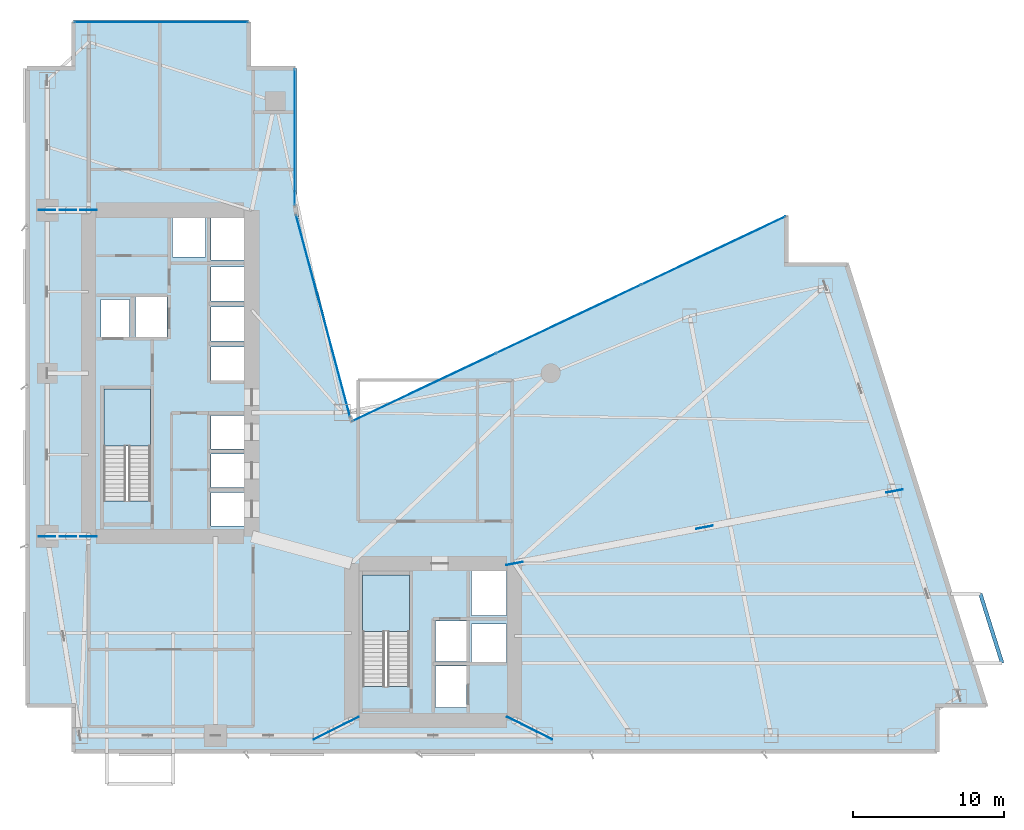
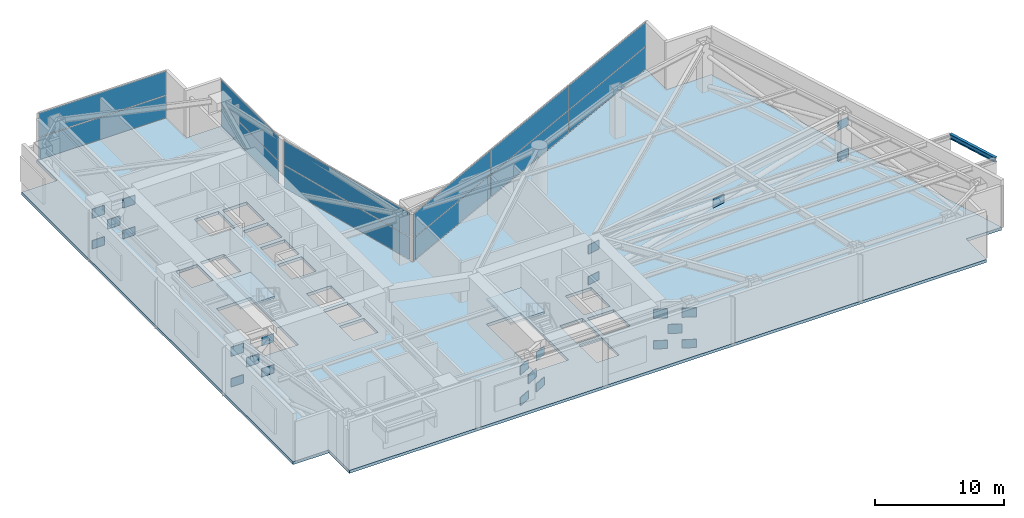
# One storey, part 9 of 18: 37 plates, 3 slabs, 1 beam, 6 elements without a shape of their own.
"""IFC4 building model written with IfcOpenShell, lengths in metres."""

from ifc_helpers import new_model, si_unit, direction, frame, origin, origin_2d, place, context, subcontext, project, spatial, polyline, rectangle, i_section, outline, extrude, material, layer, layer_set, material_profile, profile_set, type_object, element, aggregate, save


model = new_model("IFC4")

# Units and contexts
model_context = context("Model", 3, precision=1e-05, world=origin(), true_north=direction((0.0, 1.0)))
body_context = subcontext(model_context, "Body", "Model", "MODEL_VIEW")
ifc_project = project(units=[si_unit("LENGTHUNIT", "METRE"), si_unit("AREAUNIT", "SQUARE_METRE"), si_unit("VOLUMEUNIT", "CUBIC_METRE"), si_unit("PLANEANGLEUNIT", "RADIAN"), si_unit("MASSUNIT", "GRAM", prefix="KILO")], contexts=[model_context])

# Site, building, storey
site_placement = place(None, origin())
site = spatial("IfcSite", under=ifc_project, at=site_placement, CompositionType="ELEMENT")
building_placement = place(site_placement, origin())
building = spatial("IfcBuilding", under=site, at=building_placement, Name="Calvorn Quay Hotel", CompositionType="ELEMENT")
storey_placement = place(building_placement, frame((0.0, 0.0, 46.0)))
storey = spatial("IfcBuildingStorey", under=building, at=storey_placement, Name="L10", CompositionType="ELEMENT", Elevation=46.0)

# Beam
ifc_material_1 = material(Name="Steel Q355B", Category="steel")
ifc_material_profile = material_profile(ifc_material_1, i_section(OverallWidth=0.25, OverallDepth=0.449951171875, WebThickness=0.011962890625, FlangeThickness=0.01611328125, FilletRadius=0.01611328125, at=origin_2d()), Name="HN450x250x12x16")
ifc_profile_set = profile_set([ifc_material_profile], Name="Steel Q355B")
beam_type = type_object("IfcBeamType", Name="BM-CANT-BALC", PredefinedType="BEAM", material=ifc_profile_set)
beam_placement = place(storey_placement, frame((64.7080078125, 8.39990234375, 4.31494140625), z_axis=(-0.300620172346, 0.953743944662, 0.0), x_axis=(-0.953743944662, -0.300620172346, 0.0)))
element("IfcBeam", 1, at=beam_placement, inside=storey, type_object=beam_type, Name="Beam BCBO-L11-1", PredefinedType="BEAM", context=body_context, shape_type="SweptSolid", body=[
    extrude(i_section(OverallWidth=0.25, OverallDepth=0.449951171875, WebThickness=0.011962890625, FlangeThickness=0.01611328125, FilletRadius=0.01611328125, at=origin_2d()), origin(), (0.0, 0.0, 1.0), 4.8232421875),
])

# Curtain wall, plates
ifc_material_2 = material(Name="Pale Anodised Aluminium and Low-E Glass", Category="aluminium")
ifc_layer_1 = layer(ifc_material_2, 0.219970703125)
ifc_layer_set_1 = layer_set([ifc_layer_1], Name="CW-SYS-Z1")
curtain_wall_type = type_object("IfcCurtainWallType", Name="CW-SYS-Z1", PredefinedType="NOTDEFINED", material=ifc_layer_set_1)
curtain_wall_1_placement = place(storey_placement, origin())
curtain_wall_1 = element("IfcCurtainWall", 2, at=curtain_wall_1_placement, inside=storey, type_object=curtain_wall_type, Name="Inner Court Curtain Wall L10-NE1", PredefinedType="NOTDEFINED")
ifc_material_3 = material(Name="Low-E Laminated Double Glazing", Category="glass")
ifc_layer_2 = layer(ifc_material_3, 0.028076171875)
ifc_layer_set_2 = layer_set([ifc_layer_2], Name="CW-SYS-Z1-PAN")
plate_type_1 = type_object("IfcPlateType", Name="CW-SYS-Z1-PAN", PredefinedType="CURTAIN_PANEL", material=ifc_layer_set_2)
plate_1_placement = place(storey_placement, frame((45.58642578125, 35.726806640625, 0.06005859375), z_axis=(0.0, 0.0, 1.0), x_axis=(-0.904248646743, -0.427006305415, 0.0)))
plate_1 = element("IfcPlate", 3, at=plate_1_placement, type_object=plate_type_1, Name="CW-L10-NE1 panel 1.1", PredefinedType="CURTAIN_PANEL", context=body_context, shape_type="SweptSolid", body=[
    extrude(rectangle(XDim=10.526611328125, YDim=0.028076171875, at=origin_2d()), origin(), (0.0, 0.0, 1.0), 2.110107421875),
])
plate_2_placement = place(storey_placement, frame((45.58642578125, 35.726806640625, 2.22998046875), z_axis=(0.0, 0.0, 1.0), x_axis=(-0.904248646743, -0.427006305415, 0.0)))
plate_2 = element("IfcPlate", 4, at=plate_2_placement, type_object=plate_type_1, Name="CW-L10-NE1 panel 1.2", PredefinedType="CURTAIN_PANEL", context=body_context, shape_type="SweptSolid", body=[
    extrude(rectangle(XDim=10.526611328125, YDim=0.028076171875, at=origin_2d()), origin(), (0.0, 0.0, 1.0), 2.27001953125),
])
plate_3_placement = place(storey_placement, frame((36.0, 31.199951171875, 0.06005859375), z_axis=(0.0, 0.0, 1.0), x_axis=(-0.904248646743, -0.427006305415, 0.0)))
plate_3 = element("IfcPlate", 5, at=plate_3_placement, type_object=plate_type_1, Name="CW-L10-NE1 panel 2.1", PredefinedType="CURTAIN_PANEL", context=body_context, shape_type="SweptSolid", body=[
    extrude(rectangle(XDim=10.556640625, YDim=0.028076171875, at=origin_2d()), origin(), (0.0, 0.0, 1.0), 2.110107421875),
])
plate_4_placement = place(storey_placement, frame((36.0, 31.199951171875, 2.22998046875), z_axis=(0.0, 0.0, 1.0), x_axis=(-0.904248646743, -0.427006305415, 0.0)))
plate_4 = element("IfcPlate", 6, at=plate_4_placement, type_object=plate_type_1, Name="CW-L10-NE1 panel 2.2", PredefinedType="CURTAIN_PANEL", context=body_context, shape_type="SweptSolid", body=[
    extrude(rectangle(XDim=10.556640625, YDim=0.028076171875, at=origin_2d()), origin(), (0.0, 0.0, 1.0), 2.27001953125),
])
plate_5_placement = place(storey_placement, frame((26.41357421875, 26.673095703125, 0.06005859375), z_axis=(0.0, 0.0, 1.0), x_axis=(-0.904248646743, -0.427006305415, 0.0)))
plate_5 = element("IfcPlate", 7, at=plate_5_placement, type_object=plate_type_1, Name="CW-L10-NE1 panel 3.1", PredefinedType="CURTAIN_PANEL", context=body_context, shape_type="SweptSolid", body=[
    extrude(rectangle(XDim=10.526611328125, YDim=0.028076171875, at=origin_2d()), origin(), (0.0, 0.0, 1.0), 2.110107421875),
])
plate_6_placement = place(storey_placement, frame((26.41357421875, 26.673095703125, 2.22998046875), z_axis=(0.0, 0.0, 1.0), x_axis=(-0.904248646743, -0.427006305415, 0.0)))
plate_6 = element("IfcPlate", 8, at=plate_6_placement, type_object=plate_type_1, Name="CW-L10-NE1 panel 3.2", PredefinedType="CURTAIN_PANEL", context=body_context, shape_type="SweptSolid", body=[
    extrude(rectangle(XDim=10.526611328125, YDim=0.028076171875, at=origin_2d()), origin(), (0.0, 0.0, 1.0), 2.27001953125),
])
aggregate(curtain_wall_1, [plate_1, plate_2, plate_3, plate_4, plate_5, plate_6])

curtain_wall_2_placement = place(storey_placement, origin())
curtain_wall_2 = element("IfcCurtainWall", 9, at=curtain_wall_2_placement, inside=storey, type_object=curtain_wall_type, Name="Inner Court Curtain Wall L10-IC1", PredefinedType="NOTDEFINED")
plate_7_placement = place(storey_placement, frame((19.72509765625, 31.39990234375, 0.06005859375), z_axis=(0.0, 0.0, 1.0), x_axis=(-0.25877913024, 0.96593652056, 0.0)))
plate_7 = element("IfcPlate", 10, at=plate_7_placement, type_object=plate_type_1, Name="CW-L10-IC1 panel 1.1", PredefinedType="CURTAIN_PANEL", context=body_context, shape_type="SweptSolid", body=[
    extrude(rectangle(XDim=13.814697265625, YDim=0.028076171875, at=origin_2d()), origin(), (0.0, 0.0, 1.0), 2.110107421875),
])
plate_8_placement = place(storey_placement, frame((19.72509765625, 31.39990234375, 2.22998046875), z_axis=(0.0, 0.0, 1.0), x_axis=(-0.25877913024, 0.96593652056, 0.0)))
plate_8 = element("IfcPlate", 11, at=plate_8_placement, type_object=plate_type_1, Name="CW-L10-IC1 panel 1.2", PredefinedType="CURTAIN_PANEL", context=body_context, shape_type="SweptSolid", body=[
    extrude(rectangle(XDim=13.814697265625, YDim=0.028076171875, at=origin_2d()), origin(), (0.0, 0.0, 1.0), 2.27001953125),
])
aggregate(curtain_wall_2, [plate_7, plate_8])

curtain_wall_3_placement = place(storey_placement, origin())
curtain_wall_3 = element("IfcCurtainWall", 12, at=curtain_wall_3_placement, inside=storey, type_object=curtain_wall_type, Name="Inner Court Curtain Wall L10-IC2", PredefinedType="NOTDEFINED")
plate_9_placement = place(storey_placement, frame((17.85009765625, 43.239990234375, 0.06005859375), z_axis=(0.0, 0.0, 1.0), x_axis=(0.0, 1.0, 0.0)))
plate_9 = element("IfcPlate", 13, at=plate_9_placement, type_object=plate_type_1, Name="CW-L10-IC2 panel 1.1", PredefinedType="CURTAIN_PANEL", context=body_context, shape_type="SweptSolid", body=[
    extrude(rectangle(XDim=9.0, YDim=0.028076171875, at=origin_2d()), origin(), (0.0, 0.0, 1.0), 2.110107421875),
])
plate_10_placement = place(storey_placement, frame((17.85009765625, 43.239990234375, 2.22998046875), z_axis=(0.0, 0.0, 1.0), x_axis=(0.0, 1.0, 0.0)))
plate_10 = element("IfcPlate", 14, at=plate_10_placement, type_object=plate_type_1, Name="CW-L10-IC2 panel 1.2", PredefinedType="CURTAIN_PANEL", context=body_context, shape_type="SweptSolid", body=[
    extrude(rectangle(XDim=9.0, YDim=0.028076171875, at=origin_2d()), origin(), (0.0, 0.0, 1.0), 2.27001953125),
])
aggregate(curtain_wall_3, [plate_9, plate_10])

curtain_wall_4_placement = place(storey_placement, origin())
curtain_wall_4 = element("IfcCurtainWall", 15, at=curtain_wall_4_placement, inside=storey, type_object=curtain_wall_type, Name="Inner Court Curtain Wall L10-N1", PredefinedType="NOTDEFINED")
plate_11_placement = place(storey_placement, frame((9.0, 50.85009765625, 0.06005859375), z_axis=(0.0, 0.0, 1.0), x_axis=(-1.0, 0.0, 0.0)))
plate_11 = element("IfcPlate", 16, at=plate_11_placement, type_object=plate_type_1, Name="CW-L10-N1 panel 1.1", PredefinedType="CURTAIN_PANEL", context=body_context, shape_type="SweptSolid", body=[
    extrude(rectangle(XDim=11.47998046875, YDim=0.028076171875, at=origin_2d()), origin(), (0.0, 0.0, 1.0), 2.110107421875),
])
plate_12_placement = place(storey_placement, frame((9.0, 50.85009765625, 2.22998046875), z_axis=(0.0, 0.0, 1.0), x_axis=(-1.0, 0.0, 0.0)))
plate_12 = element("IfcPlate", 17, at=plate_12_placement, type_object=plate_type_1, Name="CW-L10-N1 panel 1.2", PredefinedType="CURTAIN_PANEL", context=body_context, shape_type="SweptSolid", body=[
    extrude(rectangle(XDim=11.47998046875, YDim=0.028076171875, at=origin_2d()), origin(), (0.0, 0.0, 1.0), 2.27001953125),
])
aggregate(curtain_wall_4, [plate_11, plate_12])

# Plates
ifc_material_4 = material(Name="Steel Q390GJC", Category="steel")
ifc_layer_3 = layer(ifc_material_4, 0.035888671875)
ifc_layer_set_3 = layer_set([ifc_layer_3], Name="PLT-GUSSET-36")
plate_type_2 = type_object("IfcPlateType", Name="PLT-GUSSET-36", PredefinedType="SHEET", material=ifc_layer_set_3)
for number, where, z_axis, x_axis, name in (
    (18, (4.199951171875, 16.800048828125, -0.074951171875), (0.0, 0.0, 1.0), (-1.0, 0.0, 0.0), "Outrigger Gusset Plate L10-OW1-C"),
    (19, (4.199951171875, 16.800048828125, 2.9150390625), (0.0, 0.0, 1.0), (-1.0, 0.0, 0.0), "Outrigger Gusset Plate L10-OW1-CT"),
    (20, (2.824951171875, 16.800048828125, 1.419921875), (0.0, 0.0, 1.0), (-1.0, 0.0, 0.0), "Outrigger Gusset Plate L10-OW1-X"),
    (21, (1.449951171875, 16.800048828125, -0.074951171875), (0.0, 0.0, 1.0), (-1.0, 0.0, 0.0), "Outrigger Gusset Plate L10-OW1-E"),
    (22, (1.449951171875, 16.800048828125, 2.9150390625), (0.0, 0.0, 1.0), (-1.0, 0.0, 0.0), "Outrigger Gusset Plate L10-OW1-ET"),
    (23, (4.199951171875, 38.39990234375, -0.074951171875), (0.0, 0.0, 1.0), (-1.0, 0.0, 0.0), "Outrigger Gusset Plate L10-OW2-C"),
    (24, (4.199951171875, 38.39990234375, 2.9150390625), (0.0, 0.0, 1.0), (-1.0, 0.0, 0.0), "Outrigger Gusset Plate L10-OW2-CT"),
    (25, (2.824951171875, 38.39990234375, 1.419921875), (0.0, 0.0, 1.0), (-1.0, 0.0, 0.0), "Outrigger Gusset Plate L10-OW2-X"),
    (26, (1.449951171875, 38.39990234375, -0.074951171875), (0.0, 0.0, 1.0), (-1.0, 0.0, 0.0), "Outrigger Gusset Plate L10-OW2-E"),
    (27, (1.449951171875, 38.39990234375, 2.9150390625), (0.0, 0.0, 1.0), (-1.0, 0.0, 0.0), "Outrigger Gusset Plate L10-OW2-ET"),
    (28, (21.60009765625, 4.60009765625, -0.074951171875), (0.0, 0.0, 1.0), (-0.89438856037, -0.447290848419, 0.0), "Outrigger Gusset Plate L10-OE1-C"),
    (29, (21.60009765625, 4.60009765625, 2.9150390625), (0.0, 0.0, 1.0), (-0.89438856037, -0.447290848419, 0.0), "Outrigger Gusset Plate L10-OE1-CT"),
    (30, (20.60009765625, 4.10009765625, 1.419921875), (0.0, 0.0, 1.0), (-0.89438856037, -0.447290848419, 0.0), "Outrigger Gusset Plate L10-OE1-X"),
    (31, (19.60009765625, 3.60009765625, -0.074951171875), (0.0, 0.0, 1.0), (-0.89438856037, -0.447290848419, 0.0), "Outrigger Gusset Plate L10-OE1-E"),
    (32, (19.60009765625, 3.60009765625, 2.9150390625), (0.0, 0.0, 1.0), (-0.89438856037, -0.447290848419, 0.0), "Outrigger Gusset Plate L10-OE1-ET"),
    (33, (32.39990234375, 4.60009765625, -0.074951171875), (0.0, 0.0, 1.0), (0.89438856037, -0.447290848419, 0.0), "Outrigger Gusset Plate L10-OE2-C"),
    (34, (32.39990234375, 4.60009765625, 2.9150390625), (0.0, 0.0, 1.0), (0.89438856037, -0.447290848419, 0.0), "Outrigger Gusset Plate L10-OE2-CT"),
    (35, (33.39990234375, 4.10009765625, 1.419921875), (0.0, 0.0, 1.0), (0.89438856037, -0.447290848419, 0.0), "Outrigger Gusset Plate L10-OE2-X"),
    (36, (34.39990234375, 3.60009765625, -0.074951171875), (0.0, 0.0, 1.0), (0.89438856037, -0.447290848419, 0.0), "Outrigger Gusset Plate L10-OE2-E"),
    (37, (34.39990234375, 3.60009765625, 2.9150390625), (0.0, 0.0, 1.0), (0.89438856037, -0.447290848419, 0.0), "Outrigger Gusset Plate L10-OE2-ET"),
    (38, (32.39990234375, 15.0, -0.074951171875), (0.0, 0.0, 1.0), (0.982319939976, 0.187209870265, 0.0), "Outrigger Gusset Plate L10-OE3-C"),
    (39, (32.39990234375, 15.0, 2.9150390625), (0.0, 0.0, 1.0), (0.982319939976, 0.187209870265, 0.0), "Outrigger Gusset Plate L10-OE3-CT"),
    (40, (44.988037109375, 17.39990234375, 1.419921875), (0.0, 0.0, 1.0), (0.982319939976, 0.187209870265, 0.0), "Outrigger Gusset Plate L10-OE3-X"),
    (41, (57.575927734375, 19.800048828125, -0.074951171875), (0.0, 0.0, 1.0), (0.982319939976, 0.187209870265, 0.0), "Outrigger Gusset Plate L10-OE3-E"),
    (42, (57.575927734375, 19.800048828125, 2.9150390625), (0.0, 0.0, 1.0), (0.982319939976, 0.187209870265, 0.0), "Outrigger Gusset Plate L10-OE3-ET"),
):
    element("IfcPlate", number, at=place(storey_placement, frame(where, z_axis=z_axis, x_axis=x_axis)), inside=storey, type_object=plate_type_2, Name=name, PredefinedType="SHEET", context=body_context, shape_type="SweptSolid", body=[
        extrude(rectangle(XDim=1.10009765625, YDim=0.035888671875, at=origin_2d()), origin(), (0.0, 0.0, 1.0), 0.85009765625),
    ])

# Slab
ifc_material_5 = material(Name="Concrete C40", Category="concrete")
ifc_layer_4 = layer(ifc_material_5, 0.280029296875)
ifc_layer_set_4 = layer_set([ifc_layer_4], Name="SLB-REFUGE-280")
slab_type_1 = type_object("IfcSlabType", Name="SLB-REFUGE-280", PredefinedType="FLOOR", material=ifc_layer_set_4)
slab_1_placement = place(storey_placement, frame((0.0, 0.0, -0.280029296875)))
element("IfcSlab", 43, at=slab_1_placement, inside=storey, type_object=slab_type_1, Name="L10 Structural Floor Slab", PredefinedType="FLOOR", context=body_context, shape_type="SweptSolid", body=[
    extrude(outline(polyline([(0.0, 5.60009765625), (3.199951171875, 5.60009765625), (3.199951171875, 2.39990234375), (60.39990234375, 2.39990234375), (60.39990234375, 5.60009765625), (63.60009765625, 5.60009765625), (54.39990234375, 34.800048828125), (50.39990234375, 34.800048828125), (50.39990234375, 38.0), (21.60009765625, 24.39990234375), (18.0, 38.39990234375), (18.0, 47.800048828125), (14.800048828125, 47.800048828125), (14.800048828125, 51.0), (3.199951171875, 51.0), (3.199951171875, 47.800048828125), (0.0, 47.800048828125), (0.0, 5.60009765625)]), holes=[polyline([(5.199951171875, 19.156005859375), (8.300048828125, 19.156005859375), (8.300048828125, 26.550048828125), (5.199951171875, 26.550048828125), (5.199951171875, 19.156005859375)]), polyline([(22.35009765625, 6.85595703125), (25.449951171875, 6.85595703125), (25.449951171875, 14.25), (22.35009765625, 14.25), (22.35009765625, 6.85595703125)]), polyline([(5.0, 30.0), (6.89990234375, 30.0), (6.89990234375, 32.5), (5.0, 32.5), (5.0, 30.0)]), polyline([(7.300048828125, 30.0), (9.39990234375, 30.0), (9.39990234375, 32.64990234375), (7.300048828125, 32.64990234375), (7.300048828125, 30.0)]), polyline([(27.159912109375, 8.5), (29.2099609375, 8.5), (29.2099609375, 11.199951171875), (27.159912109375, 11.199951171875), (27.159912109375, 8.5)]), polyline([(27.159912109375, 5.449951171875), (29.2099609375, 5.449951171875), (29.2099609375, 8.199951171875), (27.159912109375, 8.199951171875), (27.159912109375, 5.449951171875)]), polyline([(12.300048828125, 17.5), (14.489990234375, 17.5), (14.489990234375, 19.699951171875), (12.300048828125, 19.699951171875), (12.300048828125, 17.5)]), polyline([(12.300048828125, 20.050048828125), (14.489990234375, 20.050048828125), (14.489990234375, 22.25), (12.300048828125, 22.25), (12.300048828125, 20.050048828125)]), polyline([(12.300048828125, 22.60009765625), (14.489990234375, 22.60009765625), (14.489990234375, 24.800048828125), (12.300048828125, 24.800048828125), (12.300048828125, 22.60009765625)]), polyline([(12.300048828125, 27.10009765625), (14.489990234375, 27.10009765625), (14.489990234375, 29.35009765625), (12.300048828125, 29.35009765625), (12.300048828125, 27.10009765625)]), polyline([(12.300048828125, 29.75), (14.489990234375, 29.75), (14.489990234375, 32.0), (12.300048828125, 32.0), (12.300048828125, 29.75)]), polyline([(12.300048828125, 32.39990234375), (14.489990234375, 32.39990234375), (14.489990234375, 34.64990234375), (12.300048828125, 34.64990234375), (12.300048828125, 32.39990234375)]), polyline([(12.300048828125, 35.10009765625), (14.489990234375, 35.10009765625), (14.489990234375, 37.889892578125), (12.300048828125, 37.889892578125), (12.300048828125, 35.10009765625)]), polyline([(9.75, 35.300048828125), (11.949951171875, 35.300048828125), (11.949951171875, 37.889892578125), (9.75, 37.889892578125), (9.75, 35.300048828125)]), polyline([(29.550048828125, 11.550048828125), (31.889892578125, 11.550048828125), (31.889892578125, 14.489990234375), (29.550048828125, 14.489990234375), (29.550048828125, 11.550048828125)]), polyline([(29.550048828125, 8.449951171875), (31.889892578125, 8.449951171875), (31.889892578125, 11.0), (29.550048828125, 11.0), (29.550048828125, 8.449951171875)])]), origin(), (0.0, 0.0, 1.0), 0.280029296875),
])

# Stair, slab
ifc_material_6 = material(Name="Concrete C40", Category="concrete")
stair_type = type_object("IfcStairType", Name="STR-CORE-DOGLEG", PredefinedType="HALF_TURN_STAIR", material=ifc_material_6)
stair_1_placement = place(storey_placement, origin())
stair_1 = element("IfcStair", 44, at=stair_1_placement, inside=storey, type_object=stair_type, Name="L10 ST-W", PredefinedType="HALF_TURN_STAIR")
ifc_material_7 = material(Name="Concrete C40", Category="concrete")
ifc_layer_5 = layer(ifc_material_7, 0.199951171875)
ifc_layer_set_5 = layer_set([ifc_layer_5], Name="SLB-STAIR-LANDING-200")
slab_type_2 = type_object("IfcSlabType", Name="SLB-STAIR-LANDING-200", PredefinedType="LANDING", material=ifc_layer_set_5)
slab_2_placement = place(storey_placement, frame((0.0, 0.0, 2.199951171875)))
slab_2 = element("IfcSlab", 45, at=slab_2_placement, type_object=slab_type_2, Name="ST-W landing 1", PredefinedType="LANDING", context=body_context, shape_type="SweptSolid", body=[
    extrude(outline(polyline([(8.300048828125, 22.7900390625), (8.300048828125, 26.550048828125), (5.199951171875, 26.550048828125), (5.199951171875, 22.7900390625), (8.300048828125, 22.7900390625)])), origin(), (0.0, 0.0, 1.0), 0.199951171875),
])
aggregate(stair_1, [slab_2])

stair_2_placement = place(storey_placement, origin())
stair_2 = element("IfcStair", 46, at=stair_2_placement, inside=storey, type_object=stair_type, Name="L10 ST-E", PredefinedType="HALF_TURN_STAIR")
slab_3_placement = place(storey_placement, frame((0.0, 0.0, 2.199951171875)))
slab_3 = element("IfcSlab", 47, at=slab_3_placement, type_object=slab_type_2, Name="ST-E landing 1", PredefinedType="LANDING", context=body_context, shape_type="SweptSolid", body=[
    extrude(outline(polyline([(25.449951171875, 10.489990234375), (25.449951171875, 14.25), (22.35009765625, 14.25), (22.35009765625, 10.489990234375), (25.449951171875, 10.489990234375)])), origin(), (0.0, 0.0, 1.0), 0.199951171875),
])
aggregate(stair_2, [slab_3])

save(model, "model.ifc")
